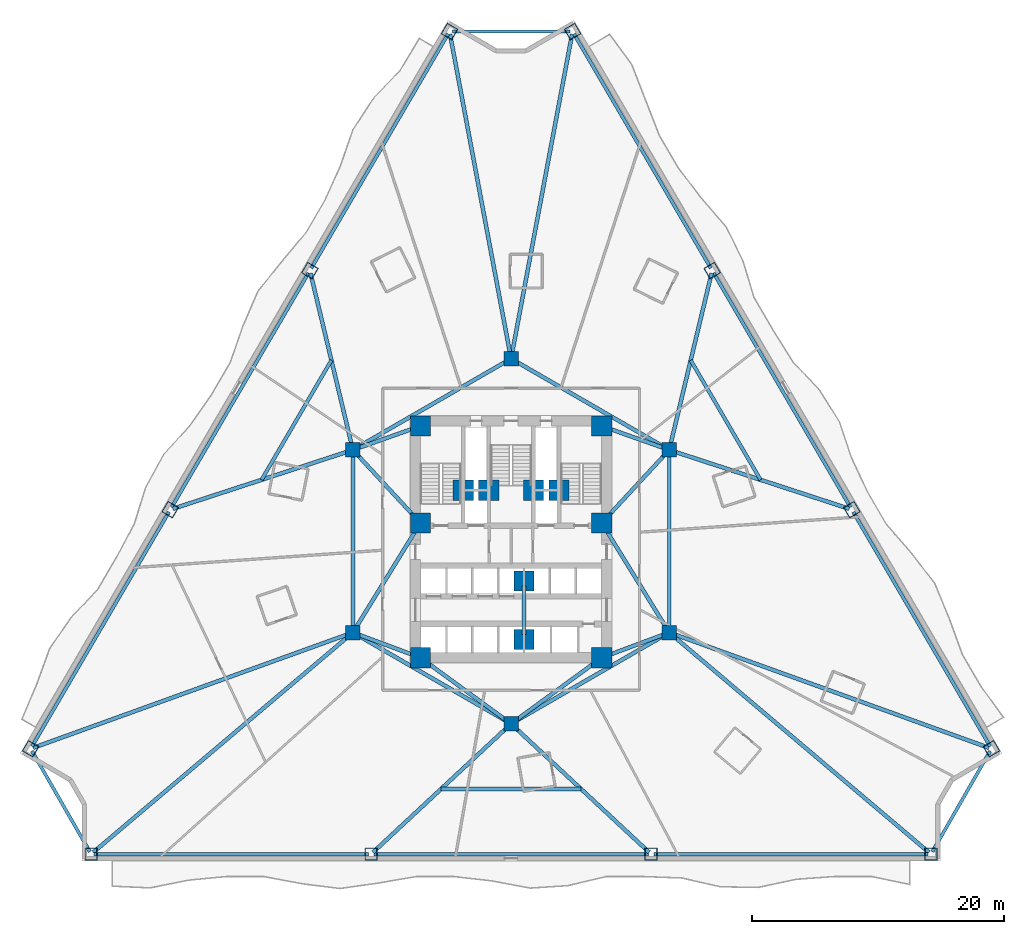
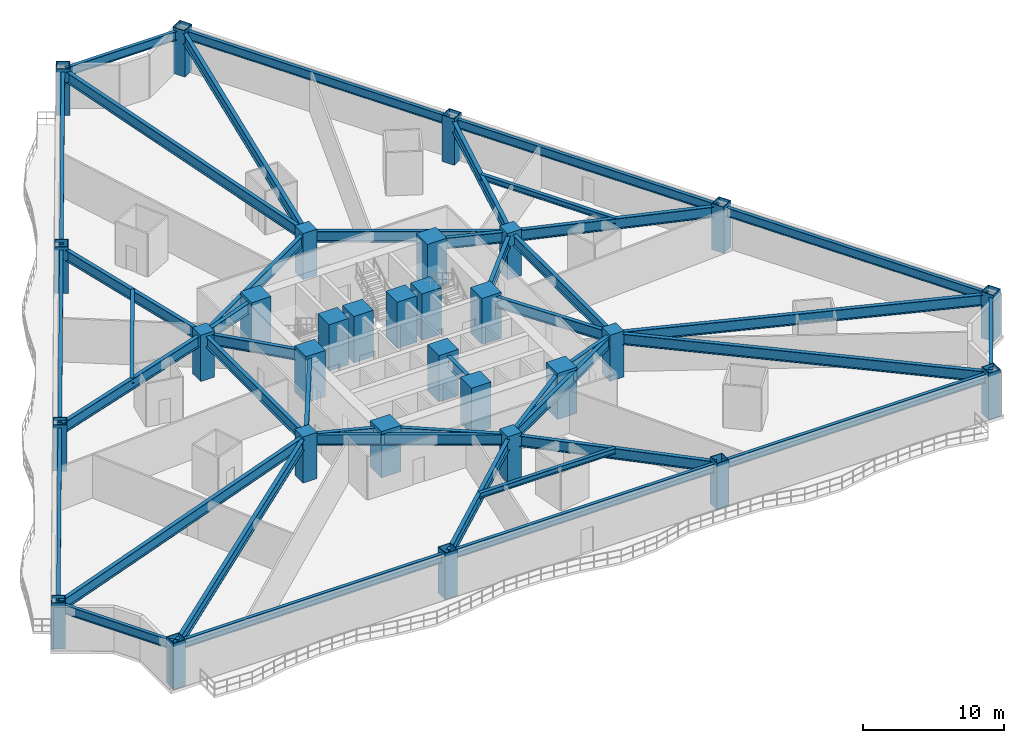
# One storey, part 1 of 12: 44 beams, 30 columns.
"""IFC4 building model written with IfcOpenShell, lengths in metres."""

from ifc_helpers import new_model, si_unit, direction, frame, origin, origin_2d, place, context, subcontext, project, spatial, rectangle, hollow_rectangle, i_section, extrude, material, material_profile, profile_set, type_object, element, save


model = new_model("IFC4")

# Units and contexts
model_context = context("Model", 3, precision=1e-05, world=origin(), true_north=direction((0.0, 1.0)))
body_context = subcontext(model_context, "Body", "Model", "MODEL_VIEW")
ifc_project = project(units=[si_unit("LENGTHUNIT", "METRE"), si_unit("AREAUNIT", "SQUARE_METRE"), si_unit("VOLUMEUNIT", "CUBIC_METRE"), si_unit("PLANEANGLEUNIT", "RADIAN"), si_unit("MASSUNIT", "GRAM", prefix="KILO")], contexts=[model_context])

# Site, building, storey
site_placement = place(None, origin())
site = spatial("IfcSite", under=ifc_project, at=site_placement, CompositionType="ELEMENT")
building_placement = place(site_placement, origin())
building = spatial("IfcBuilding", under=site, at=building_placement, Name="Apsidion Concourse Tower", CompositionType="ELEMENT")
storey_placement = place(building_placement, frame((0.0, 0.0, 34.39990234375)))
storey = spatial("IfcBuildingStorey", under=building, at=storey_placement, Name="L06", CompositionType="ELEMENT", Elevation=34.39990234375)

# Columns
ifc_material_1 = material(Name="Structural steel ASTM A572 Grade 50", Category="steel")
ifc_material_profile_1 = material_profile(ifc_material_1, hollow_rectangle(XDim=1.0, YDim=1.0, WallThickness=0.06005859375, at=origin_2d()), Name="BOX1000X1000X60")
ifc_profile_set_1 = profile_set([ifc_material_profile_1], Name="Structural steel ASTM A572 Grade 50")
column_type_1 = type_object("IfcColumnType", Name="COL-BOX-1000", PredefinedType="COLUMN", material=ifc_profile_set_1)
for number, where, z_axis, x_axis, name in (
    (1, (-4.887451171875, 40.481201171875, 0.0), (0.0, 0.0, 1.0), (0.50437692518, 0.863483594138, 0.0), "L06 Rotated Perimeter Column PC01"),
    (2, (-15.976318359375, 21.49365234375, 0.0), (0.0, 0.0, 1.0), (0.50437692518, 0.863483594138, 0.0), "L06 Rotated Perimeter Column PC02"),
    (3, (-27.065185546875, 2.50634765625, 0.0), (0.0, 0.0, 1.0), (0.50437692518, 0.863483594138, 0.0), "L06 Rotated Perimeter Column PC03"),
    (4, (-38.154052734375, -16.481201171875, 0.0), (0.0, 0.0, 1.0), (0.50437692518, 0.863483594138, 0.0), "L06 Rotated Perimeter Column PC04"),
    (5, (-33.35009765625, -24.85009765625, 0.0), (0.0, 0.0, 1.0), (1.0, 0.0, 0.0), "L06 Rotated Perimeter Column PC05"),
    (6, (-11.11669921875, -24.85009765625, 0.0), (0.0, 0.0, 1.0), (1.0, 0.0, 0.0), "L06 Rotated Perimeter Column PC06"),
    (7, (11.11669921875, -24.85009765625, 0.0), (0.0, 0.0, 1.0), (1.0, 0.0, 0.0), "L06 Rotated Perimeter Column PC07"),
    (8, (33.35009765625, -24.85009765625, 0.0), (0.0, 0.0, 1.0), (1.0, 0.0, 0.0), "L06 Rotated Perimeter Column PC08"),
    (9, (38.154052734375, -16.481201171875, 0.0), (0.0, 0.0, 1.0), (-0.50437692518, 0.863483594138, 0.0), "L06 Rotated Perimeter Column PC09"),
    (10, (27.065185546875, 2.50634765625, 0.0), (0.0, 0.0, 1.0), (-0.50437692518, 0.863483594138, 0.0), "L06 Rotated Perimeter Column PC10"),
    (11, (15.976318359375, 21.49365234375, 0.0), (0.0, 0.0, 1.0), (-0.50437692518, 0.863483594138, 0.0), "L06 Rotated Perimeter Column PC11"),
    (12, (4.887451171875, 40.481201171875, 0.0), (0.0, 0.0, 1.0), (-0.50437692518, 0.863483594138, 0.0), "L06 Rotated Perimeter Column PC12"),
):
    element("IfcColumn", number, at=place(storey_placement, frame(where, z_axis=z_axis, x_axis=x_axis)), inside=storey, type_object=column_type_1, Name=name, PredefinedType="COLUMN", context=body_context, shape_type="SweptSolid", body=[
        extrude(hollow_rectangle(XDim=1.0, YDim=1.0, WallThickness=0.06005859375, at=origin_2d()), origin(), (0.0, 0.0, 1.0), 4.0),
    ])
ifc_material_2 = material(Name="Concrete C50/60", Category="concrete")
ifc_material_profile_2 = material_profile(ifc_material_2, rectangle(XDim=1.14990234375, YDim=1.14990234375, at=origin_2d()), Name="RC 1150x1150")
ifc_profile_set_2 = profile_set([ifc_material_profile_2], Name="Concrete C50/60")
column_type_2 = type_object("IfcColumnType", Name="COL-RC-1150", PredefinedType="COLUMN", material=ifc_profile_set_2)
for number, where, z_axis, x_axis, name in (
    (13, (-12.56005859375, -7.25, 0.0), (0.0, 0.0, 1.0), (1.0, 0.0, 0.0), "L06 Interior Spine Column IC1"),
    (14, (12.56005859375, -7.25, 0.0), (0.0, 0.0, 1.0), (1.0, 0.0, 0.0), "L06 Interior Spine Column IC2"),
    (15, (12.56005859375, 7.25, 0.0), (0.0, 0.0, 1.0), (1.0, 0.0, 0.0), "L06 Interior Spine Column IC3"),
    (16, (0.0, 14.5, 0.0), (0.0, 0.0, 1.0), (1.0, 0.0, 0.0), "L06 Interior Spine Column IC4"),
    (17, (-12.56005859375, 7.25, 0.0), (0.0, 0.0, 1.0), (1.0, 0.0, 0.0), "L06 Interior Spine Column IC5"),
    (18, (0.0, -14.5, 0.0), (0.0, 0.0, 1.0), (1.0, 0.0, 0.0), "L06 Interior Spine Column IC6"),
):
    element("IfcColumn", number, at=place(storey_placement, frame(where, z_axis=z_axis, x_axis=x_axis)), inside=storey, type_object=column_type_2, Name=name, PredefinedType="COLUMN", context=body_context, shape_type="SweptSolid", body=[
        extrude(rectangle(XDim=1.14990234375, YDim=1.14990234375, at=origin_2d()), origin(), (0.0, 0.0, 1.0), 4.0),
    ])
ifc_material_3 = material(Name="Concrete C60/75", Category="concrete")
ifc_material_profile_3 = material_profile(ifc_material_3, rectangle(XDim=1.60009765625, YDim=1.60009765625, at=origin_2d()), Name="RC 1600x1600")
ifc_profile_set_3 = profile_set([ifc_material_profile_3], Name="Concrete C60/75")
column_type_3 = type_object("IfcColumnType", Name="COL-RC-1600", PredefinedType="COLUMN", material=ifc_profile_set_3)
for number, where, z_axis, x_axis, name in (
    (19, (-7.199951171875, -9.25, 0.0), (0.0, 0.0, 1.0), (1.0, 0.0, 0.0), "L06 Core Super-Column SC1"),
    (20, (7.199951171875, -9.25, 0.0), (0.0, 0.0, 1.0), (1.0, 0.0, 0.0), "L06 Core Super-Column SC2"),
    (21, (7.199951171875, 1.449951171875, 0.0), (0.0, 0.0, 1.0), (1.0, 0.0, 0.0), "L06 Core Super-Column SC3"),
    (22, (7.199951171875, 9.14990234375, 0.0), (0.0, 0.0, 1.0), (1.0, 0.0, 0.0), "L06 Core Super-Column SC4"),
    (23, (-7.199951171875, 9.14990234375, 0.0), (0.0, 0.0, 1.0), (1.0, 0.0, 0.0), "L06 Core Super-Column SC5"),
    (24, (-7.199951171875, 1.449951171875, 0.0), (0.0, 0.0, 1.0), (1.0, 0.0, 0.0), "L06 Core Super-Column SC6"),
    (25, (-3.800048828125, 4.050048828125, 0.0), (0.0, 0.0, 1.0), (1.0, 0.0, 0.0), "L06 Core Super-Column CC1"),
    (26, (3.800048828125, 4.050048828125, 0.0), (0.0, 0.0, 1.0), (1.0, 0.0, 0.0), "L06 Core Super-Column CC2"),
    (27, (-1.77490234375, 4.050048828125, 0.0), (0.0, 0.0, 1.0), (1.0, 0.0, 0.0), "L06 Core Super-Column CC3"),
    (28, (1.77490234375, 4.050048828125, 0.0), (0.0, 0.0, 1.0), (1.0, 0.0, 0.0), "L06 Core Super-Column CC4"),
    (29, (1.02490234375, -3.14990234375, 0.0), (0.0, 0.0, 1.0), (1.0, 0.0, 0.0), "L06 Core Super-Column CC5"),
    (30, (1.02490234375, -7.800048828125, 0.0), (0.0, 0.0, 1.0), (1.0, 0.0, 0.0), "L06 Core Super-Column CC6"),
):
    element("IfcColumn", number, at=place(storey_placement, frame(where, z_axis=z_axis, x_axis=x_axis)), inside=storey, type_object=column_type_3, Name=name, PredefinedType="COLUMN", context=body_context, shape_type="SweptSolid", body=[
        extrude(rectangle(XDim=1.60009765625, YDim=1.60009765625, at=origin_2d()), origin(), (0.0, 0.0, 1.0), 4.0),
    ])

# Beams
ifc_material_4 = material(Name="Structural steel ASTM A992 Grade 50", Category="steel")
ifc_material_profile_4 = material_profile(ifc_material_4, i_section(OverallWidth=0.283935546875, OverallDepth=0.47607421875, WebThickness=0.014892578125, FlangeThickness=0.02392578125, at=origin_2d()), Name="W18X106")
ifc_profile_set_4 = profile_set([ifc_material_profile_4], Name="Structural steel ASTM A992 Grade 50")
beam_type_1 = type_object("IfcBeamType", Name="BM-FL-W18H", PredefinedType="BEAM", material=ifc_profile_set_4)
beam_1_placement = place(storey_placement, frame((-14.268310546875, 14.371826171875, 3.51220703125), z_axis=(-0.504293469124, -0.863532336974, 0.0), x_axis=(0.863532336974, -0.504293469124, 0.0)))
element("IfcBeam", 31, at=beam_1_placement, inside=storey, type_object=beam_type_1, Name="L06 Secondary Floor Beam SEC-F1", PredefinedType="BEAM", context=body_context, shape_type="SweptSolid", body=[
    extrude(i_section(OverallWidth=0.283935546875, OverallDepth=0.47607421875, WebThickness=0.014892578125, FlangeThickness=0.02392578125, at=origin_2d()), origin(), (0.0, 0.0, 1.0), 10.993896484375),
])
beam_2_placement = place(storey_placement, frame((-5.558349609375, -19.675048828125, 3.51220703125), z_axis=(1.0, 0.0, 0.0), x_axis=(0.0, 1.0, 0.0)))
element("IfcBeam", 32, at=beam_2_placement, inside=storey, type_object=beam_type_1, Name="L06 Secondary Floor Beam SEC-F2", PredefinedType="BEAM", context=body_context, shape_type="SweptSolid", body=[
    extrude(i_section(OverallWidth=0.283935546875, OverallDepth=0.47607421875, WebThickness=0.014892578125, FlangeThickness=0.02392578125, at=origin_2d()), origin(), (0.0, 0.0, 1.0), 11.11669921875),
])
beam_3_placement = place(storey_placement, frame((19.8125, 4.878173828125, 3.51220703125), z_axis=(-0.504293469124, 0.863532336974, 0.0), x_axis=(-0.863532336974, -0.504293469124, 0.0)))
element("IfcBeam", 33, at=beam_3_placement, inside=storey, type_object=beam_type_1, Name="L06 Secondary Floor Beam SEC-F3", PredefinedType="BEAM", context=body_context, shape_type="SweptSolid", body=[
    extrude(i_section(OverallWidth=0.283935546875, OverallDepth=0.47607421875, WebThickness=0.014892578125, FlangeThickness=0.02392578125, at=origin_2d()), origin(), (0.0, 0.0, 1.0), 10.993896484375),
])
ifc_material_profile_5 = material_profile(ifc_material_4, i_section(OverallWidth=0.31005859375, OverallDepth=0.931884765625, WebThickness=0.02099609375, FlangeThickness=0.034423828125, at=origin_2d()), Name="W36X210")
ifc_profile_set_5 = profile_set([ifc_material_profile_5], Name="Structural steel ASTM A992 Grade 50")
beam_type_2 = type_object("IfcBeamType", Name="BM-G-W36", PredefinedType="USERDEFINED", material=ifc_profile_set_5)
beam_4_placement = place(storey_placement, frame((-12.185302734375, -7.389892578125, 3.2841796875), z_axis=(0.936913021145, -0.349562570664, 0.0), x_axis=(0.349562570664, 0.936913021145, 0.0)))
element("IfcBeam", 34, at=beam_4_placement, inside=storey, type_object=beam_type_2, Name="L06 Core Coupling Girder IC1-SC1", ObjectType="GIRDER", PredefinedType="USERDEFINED", context=body_context, shape_type="SweptSolid", body=[
    extrude(i_section(OverallWidth=0.31005859375, OverallDepth=0.931884765625, WebThickness=0.02099609375, FlangeThickness=0.034423828125, at=origin_2d()), origin(), (0.0, 0.0, 1.0), 4.921142578125),
])
beam_5_placement = place(storey_placement, frame((-12.35009765625, -6.909423828125, 3.2841796875), z_axis=(0.524524009763, 0.851395656074, 0.0), x_axis=(-0.851395656074, 0.524524009763, 0.0)))
element("IfcBeam", 35, at=beam_5_placement, inside=storey, type_object=beam_type_2, Name="L06 Core Coupling Girder IC1-SC6", ObjectType="GIRDER", PredefinedType="USERDEFINED", context=body_context, shape_type="SweptSolid", body=[
    extrude(i_section(OverallWidth=0.31005859375, OverallDepth=0.931884765625, WebThickness=0.02099609375, FlangeThickness=0.034423828125, at=origin_2d()), origin(), (0.0, 0.0, 1.0), 9.41845703125),
])
beam_6_placement = place(storey_placement, frame((12.185302734375, -7.389892578125, 3.2841796875), z_axis=(-0.936913021145, -0.349562570664, 0.0), x_axis=(0.349562570664, -0.936913021145, 0.0)))
element("IfcBeam", 36, at=beam_6_placement, inside=storey, type_object=beam_type_2, Name="L06 Core Coupling Girder IC2-SC2", ObjectType="GIRDER", PredefinedType="USERDEFINED", context=body_context, shape_type="SweptSolid", body=[
    extrude(i_section(OverallWidth=0.31005859375, OverallDepth=0.931884765625, WebThickness=0.02099609375, FlangeThickness=0.034423828125, at=origin_2d()), origin(), (0.0, 0.0, 1.0), 4.921142578125),
])
beam_7_placement = place(storey_placement, frame((12.35009765625, -6.909423828125, 3.2841796875), z_axis=(-0.524524009763, 0.851395656074, 0.0), x_axis=(-0.851395656074, -0.524524009763, 0.0)))
element("IfcBeam", 37, at=beam_7_placement, inside=storey, type_object=beam_type_2, Name="L06 Core Coupling Girder IC2-SC3", ObjectType="GIRDER", PredefinedType="USERDEFINED", context=body_context, shape_type="SweptSolid", body=[
    extrude(i_section(OverallWidth=0.31005859375, OverallDepth=0.931884765625, WebThickness=0.02099609375, FlangeThickness=0.034423828125, at=origin_2d()), origin(), (0.0, 0.0, 1.0), 9.41845703125),
])
beam_8_placement = place(storey_placement, frame((12.28857421875, 6.956298828125, 3.2841796875), z_axis=(-0.678712876106, -0.73440372535, 0.0), x_axis=(0.73440372535, -0.678712876106, 0.0)))
element("IfcBeam", 38, at=beam_8_placement, inside=storey, type_object=beam_type_2, Name="L06 Core Coupling Girder IC3-SC3", ObjectType="GIRDER", PredefinedType="USERDEFINED", context=body_context, shape_type="SweptSolid", body=[
    extrude(i_section(OverallWidth=0.31005859375, OverallDepth=0.931884765625, WebThickness=0.02099609375, FlangeThickness=0.034423828125, at=origin_2d()), origin(), (0.0, 0.0, 1.0), 7.097412109375),
])
beam_9_placement = place(storey_placement, frame((12.18310546875, 7.383544921875, 3.2841796875), z_axis=(-0.942533844539, 0.334110688094, 0.0), x_axis=(-0.334110688094, -0.942533844539, 0.0)))
element("IfcBeam", 39, at=beam_9_placement, inside=storey, type_object=beam_type_2, Name="L06 Core Coupling Girder IC3-SC4", ObjectType="GIRDER", PredefinedType="USERDEFINED", context=body_context, shape_type="SweptSolid", body=[
    extrude(i_section(OverallWidth=0.31005859375, OverallDepth=0.931884765625, WebThickness=0.02099609375, FlangeThickness=0.034423828125, at=origin_2d()), origin(), (0.0, 0.0, 1.0), 4.886962890625),
])
beam_10_placement = place(storey_placement, frame((-12.28857421875, 6.956298828125, 3.2841796875), z_axis=(0.678712876106, -0.73440372535, 0.0), x_axis=(0.73440372535, 0.678712876106, 0.0)))
element("IfcBeam", 40, at=beam_10_placement, inside=storey, type_object=beam_type_2, Name="L06 Core Coupling Girder IC5-SC6", ObjectType="GIRDER", PredefinedType="USERDEFINED", context=body_context, shape_type="SweptSolid", body=[
    extrude(i_section(OverallWidth=0.31005859375, OverallDepth=0.931884765625, WebThickness=0.02099609375, FlangeThickness=0.034423828125, at=origin_2d()), origin(), (0.0, 0.0, 1.0), 7.097412109375),
])
beam_11_placement = place(storey_placement, frame((-12.18310546875, 7.383544921875, 3.2841796875), z_axis=(0.942533844539, 0.334110688094, 0.0), x_axis=(-0.334110688094, 0.942533844539, 0.0)))
element("IfcBeam", 41, at=beam_11_placement, inside=storey, type_object=beam_type_2, Name="L06 Core Coupling Girder IC5-SC5", ObjectType="GIRDER", PredefinedType="USERDEFINED", context=body_context, shape_type="SweptSolid", body=[
    extrude(i_section(OverallWidth=0.31005859375, OverallDepth=0.931884765625, WebThickness=0.02099609375, FlangeThickness=0.034423828125, at=origin_2d()), origin(), (0.0, 0.0, 1.0), 4.886962890625),
])
for number, where, z_axis, x_axis, name in (
    (42, (-0.3232421875, -14.264404296875, 3.2841796875), (-0.807993498909, 0.589191399905, 0.0), (-0.589191399905, -0.807993498909, 0.0), "L06 Core Coupling Girder IC6-SC1"),
    (43, (0.3232421875, -14.264404296875, 3.2841796875), (0.807993498909, 0.589191399905, 0.0), (-0.589191399905, 0.807993498909, 0.0), "L06 Core Coupling Girder IC6-SC2"),
):
    element("IfcBeam", number, at=place(storey_placement, frame(where, z_axis=z_axis, x_axis=x_axis)), inside=storey, type_object=beam_type_2, Name=name, ObjectType="GIRDER", PredefinedType="USERDEFINED", context=body_context, shape_type="SweptSolid", body=[
        extrude(i_section(OverallWidth=0.31005859375, OverallDepth=0.931884765625, WebThickness=0.02099609375, FlangeThickness=0.034423828125, at=origin_2d()), origin(), (0.0, 0.0, 1.0), 8.11083984375),
    ])
beam_12_placement = place(storey_placement, frame((-12.56005859375, -6.85009765625, 3.2841796875), z_axis=(0.0, 1.0, 0.0), x_axis=(-1.0, 0.0, 0.0)))
element("IfcBeam", 44, at=beam_12_placement, inside=storey, type_object=beam_type_2, Name="L06 Core Coupling Girder IC1-IC5", ObjectType="GIRDER", PredefinedType="USERDEFINED", context=body_context, shape_type="SweptSolid", body=[
    extrude(i_section(OverallWidth=0.31005859375, OverallDepth=0.931884765625, WebThickness=0.02099609375, FlangeThickness=0.034423828125, at=origin_2d()), origin(), (0.0, 0.0, 1.0), 13.7001953125),
])
for number, where, z_axis, x_axis, name in (
    (45, (-12.213623046875, 7.449951171875, 3.2841796875), (0.866070471464, 0.499921932364, 0.0), (-0.499921932364, 0.866070471464, 0.0), "L06 Core Coupling Girder IC5-IC4"),
    (46, (0.346435546875, 14.300048828125, 3.2841796875), (0.866070471464, -0.499921932364, 0.0), (0.499921932364, 0.866070471464, 0.0), "L06 Core Coupling Girder IC4-IC3"),
):
    element("IfcBeam", number, at=place(storey_placement, frame(where, z_axis=z_axis, x_axis=x_axis)), inside=storey, type_object=beam_type_2, Name=name, ObjectType="GIRDER", PredefinedType="USERDEFINED", context=body_context, shape_type="SweptSolid", body=[
        extrude(i_section(OverallWidth=0.31005859375, OverallDepth=0.931884765625, WebThickness=0.02099609375, FlangeThickness=0.034423828125, at=origin_2d()), origin(), (0.0, 0.0, 1.0), 13.702392578125),
    ])
beam_13_placement = place(storey_placement, frame((12.56005859375, 6.85009765625, 3.2841796875), z_axis=(0.0, -1.0, 0.0), x_axis=(1.0, 0.0, 0.0)))
element("IfcBeam", 47, at=beam_13_placement, inside=storey, type_object=beam_type_2, Name="L06 Core Coupling Girder IC3-IC2", ObjectType="GIRDER", PredefinedType="USERDEFINED", context=body_context, shape_type="SweptSolid", body=[
    extrude(i_section(OverallWidth=0.31005859375, OverallDepth=0.931884765625, WebThickness=0.02099609375, FlangeThickness=0.034423828125, at=origin_2d()), origin(), (0.0, 0.0, 1.0), 13.7001953125),
])
for number, where, z_axis, x_axis, name in (
    (48, (12.213623046875, -7.449951171875, 3.2841796875), (-0.866070471464, -0.499921932364, 0.0), (0.499921932364, -0.866070471464, 0.0), "L06 Core Coupling Girder IC2-IC6"),
    (49, (-0.346435546875, -14.300048828125, 3.2841796875), (-0.866070471464, 0.499921932364, 0.0), (-0.499921932364, -0.866070471464, 0.0), "L06 Core Coupling Girder IC6-IC1"),
):
    element("IfcBeam", number, at=place(storey_placement, frame(where, z_axis=z_axis, x_axis=x_axis)), inside=storey, type_object=beam_type_2, Name=name, ObjectType="GIRDER", PredefinedType="USERDEFINED", context=body_context, shape_type="SweptSolid", body=[
        extrude(i_section(OverallWidth=0.31005859375, OverallDepth=0.931884765625, WebThickness=0.02099609375, FlangeThickness=0.034423828125, at=origin_2d()), origin(), (0.0, 0.0, 1.0), 13.702392578125),
    ])
beam_14_placement = place(storey_placement, frame((1.02490234375, -3.550048828125, 3.2841796875), z_axis=(0.0, -1.0, 0.0), x_axis=(1.0, 0.0, 0.0)))
element("IfcBeam", 50, at=beam_14_placement, inside=storey, type_object=beam_type_2, Name="L06 Core Coupling Girder CC5-CC6", ObjectType="GIRDER", PredefinedType="USERDEFINED", context=body_context, shape_type="SweptSolid", body=[
    extrude(i_section(OverallWidth=0.31005859375, OverallDepth=0.931884765625, WebThickness=0.02099609375, FlangeThickness=0.034423828125, at=origin_2d()), origin(), (0.0, 0.0, 1.0), 3.849853515625),
])
beam_15_placement = place(storey_placement, frame((-0.040771484375, 14.71630859375, 3.2841796875), z_axis=(-0.184866293989, 0.982763681333, 0.0), x_axis=(-0.982763681333, -0.184866293989, 0.0)))
element("IfcBeam", 51, at=beam_15_placement, inside=storey, type_object=beam_type_2, Name="L06 Radial Floor Girder RAD-01", ObjectType="GIRDER", PredefinedType="USERDEFINED", context=body_context, shape_type="SweptSolid", body=[
    extrude(i_section(OverallWidth=0.31005859375, OverallDepth=0.931884765625, WebThickness=0.02099609375, FlangeThickness=0.034423828125, at=origin_2d()), origin(), (0.0, 0.0, 1.0), 25.99658203125),
])
beam_16_placement = place(storey_placement, frame((-12.611328125, 7.4638671875, 3.2841796875), z_axis=(-0.233233219452, 0.972420827288, 0.0), x_axis=(-0.972420827288, -0.233233219452, 0.0)))
element("IfcBeam", 52, at=beam_16_placement, inside=storey, type_object=beam_type_2, Name="L06 Radial Floor Girder RAD-02", ObjectType="GIRDER", PredefinedType="USERDEFINED", context=body_context, shape_type="SweptSolid", body=[
    extrude(i_section(OverallWidth=0.31005859375, OverallDepth=0.931884765625, WebThickness=0.02099609375, FlangeThickness=0.034423828125, at=origin_2d()), origin(), (0.0, 0.0, 1.0), 14.207763671875),
])
beam_17_placement = place(storey_placement, frame((-12.76904296875, 7.181640625, 3.2841796875), z_axis=(-0.950465100465, -0.310831293145, 0.0), x_axis=(0.310831293145, -0.950465100465, 0.0)))
element("IfcBeam", 53, at=beam_17_placement, inside=storey, type_object=beam_type_2, Name="L06 Radial Floor Girder RAD-03", ObjectType="GIRDER", PredefinedType="USERDEFINED", context=body_context, shape_type="SweptSolid", body=[
    extrude(i_section(OverallWidth=0.31005859375, OverallDepth=0.931884765625, WebThickness=0.02099609375, FlangeThickness=0.034423828125, at=origin_2d()), origin(), (0.0, 0.0, 1.0), 14.8212890625),
])
beam_18_placement = place(storey_placement, frame((-12.76708984375, -7.32470703125, 3.2841796875), z_axis=(-0.940684701446, -0.339282024968, 0.0), x_axis=(0.339282024968, -0.940684701446, 0.0)))
element("IfcBeam", 54, at=beam_18_placement, inside=storey, type_object=beam_type_2, Name="L06 Radial Floor Girder RAD-04", ObjectType="GIRDER", PredefinedType="USERDEFINED", context=body_context, shape_type="SweptSolid", body=[
    extrude(i_section(OverallWidth=0.31005859375, OverallDepth=0.931884765625, WebThickness=0.02099609375, FlangeThickness=0.034423828125, at=origin_2d()), origin(), (0.0, 0.0, 1.0), 26.767578125),
])
beam_19_placement = place(storey_placement, frame((-12.727783203125, -7.39208984375, 3.2841796875), z_axis=(-0.763231804576, -0.646124765416, 0.0), x_axis=(0.646124765416, -0.763231804576, 0.0)))
element("IfcBeam", 55, at=beam_19_placement, inside=storey, type_object=beam_type_2, Name="L06 Radial Floor Girder RAD-05", ObjectType="GIRDER", PredefinedType="USERDEFINED", context=body_context, shape_type="SweptSolid", body=[
    extrude(i_section(OverallWidth=0.31005859375, OverallDepth=0.931884765625, WebThickness=0.02099609375, FlangeThickness=0.034423828125, at=origin_2d()), origin(), (0.0, 0.0, 1.0), 26.799560546875),
])
for number, where, z_axis, x_axis, name in (
    (56, (-0.160888671875, -14.64990234375, 3.2841796875), (-0.731899098402, -0.681413024353, 0.0), (0.681413024353, -0.731899098402, 0.0), "L06 Radial Floor Girder RAD-06"),
    (57, (0.160888671875, -14.64990234375, 3.2841796875), (0.731899098402, -0.681413024353, 0.0), (0.681413024353, 0.731899098402, 0.0), "L06 Radial Floor Girder RAD-07"),
):
    element("IfcBeam", number, at=place(storey_placement, frame(where, z_axis=z_axis, x_axis=x_axis)), inside=storey, type_object=beam_type_2, Name=name, ObjectType="GIRDER", PredefinedType="USERDEFINED", context=body_context, shape_type="SweptSolid", body=[
        extrude(i_section(OverallWidth=0.31005859375, OverallDepth=0.931884765625, WebThickness=0.02099609375, FlangeThickness=0.034423828125, at=origin_2d()), origin(), (0.0, 0.0, 1.0), 14.749267578125),
    ])
beam_20_placement = place(storey_placement, frame((12.727783203125, -7.39208984375, 3.2841796875), z_axis=(0.763231804576, -0.646124765416, 0.0), x_axis=(0.646124765416, 0.763231804576, 0.0)))
element("IfcBeam", 58, at=beam_20_placement, inside=storey, type_object=beam_type_2, Name="L06 Radial Floor Girder RAD-08", ObjectType="GIRDER", PredefinedType="USERDEFINED", context=body_context, shape_type="SweptSolid", body=[
    extrude(i_section(OverallWidth=0.31005859375, OverallDepth=0.931884765625, WebThickness=0.02099609375, FlangeThickness=0.034423828125, at=origin_2d()), origin(), (0.0, 0.0, 1.0), 26.799560546875),
])
beam_21_placement = place(storey_placement, frame((12.76708984375, -7.32470703125, 3.2841796875), z_axis=(0.940684701446, -0.339282024968, 0.0), x_axis=(0.339282024968, 0.940684701446, 0.0)))
element("IfcBeam", 59, at=beam_21_placement, inside=storey, type_object=beam_type_2, Name="L06 Radial Floor Girder RAD-09", ObjectType="GIRDER", PredefinedType="USERDEFINED", context=body_context, shape_type="SweptSolid", body=[
    extrude(i_section(OverallWidth=0.31005859375, OverallDepth=0.931884765625, WebThickness=0.02099609375, FlangeThickness=0.034423828125, at=origin_2d()), origin(), (0.0, 0.0, 1.0), 26.767578125),
])
beam_22_placement = place(storey_placement, frame((12.76904296875, 7.181640625, 3.2841796875), z_axis=(0.950465100465, -0.310831293145, 0.0), x_axis=(0.310831293145, 0.950465100465, 0.0)))
element("IfcBeam", 60, at=beam_22_placement, inside=storey, type_object=beam_type_2, Name="L06 Radial Floor Girder RAD-10", ObjectType="GIRDER", PredefinedType="USERDEFINED", context=body_context, shape_type="SweptSolid", body=[
    extrude(i_section(OverallWidth=0.31005859375, OverallDepth=0.931884765625, WebThickness=0.02099609375, FlangeThickness=0.034423828125, at=origin_2d()), origin(), (0.0, 0.0, 1.0), 14.8212890625),
])
beam_23_placement = place(storey_placement, frame((12.611328125, 7.4638671875, 3.2841796875), z_axis=(0.233233219452, 0.972420827288, 0.0), x_axis=(-0.972420827288, 0.233233219452, 0.0)))
element("IfcBeam", 61, at=beam_23_placement, inside=storey, type_object=beam_type_2, Name="L06 Radial Floor Girder RAD-11", ObjectType="GIRDER", PredefinedType="USERDEFINED", context=body_context, shape_type="SweptSolid", body=[
    extrude(i_section(OverallWidth=0.31005859375, OverallDepth=0.931884765625, WebThickness=0.02099609375, FlangeThickness=0.034423828125, at=origin_2d()), origin(), (0.0, 0.0, 1.0), 14.207763671875),
])
beam_24_placement = place(storey_placement, frame((0.040771484375, 14.71630859375, 3.2841796875), z_axis=(0.184866293989, 0.982763681333, 0.0), x_axis=(-0.982763681333, 0.184866293989, 0.0)))
element("IfcBeam", 62, at=beam_24_placement, inside=storey, type_object=beam_type_2, Name="L06 Radial Floor Girder RAD-12", ObjectType="GIRDER", PredefinedType="USERDEFINED", context=body_context, shape_type="SweptSolid", body=[
    extrude(i_section(OverallWidth=0.31005859375, OverallDepth=0.931884765625, WebThickness=0.02099609375, FlangeThickness=0.034423828125, at=origin_2d()), origin(), (0.0, 0.0, 1.0), 25.99658203125),
])
ifc_material_profile_6 = material_profile(ifc_material_4, i_section(OverallWidth=0.26806640625, OverallDepth=0.77001953125, WebThickness=0.015625, FlangeThickness=0.025390625, at=origin_2d()), Name="W30X132")
ifc_profile_set_6 = profile_set([ifc_material_profile_6], Name="Structural steel ASTM A992 Grade 50")
beam_type_3 = type_object("IfcBeamType", Name="BM-SP-W30", PredefinedType="SPANDREL", material=ifc_profile_set_6)
for number, where, z_axis, x_axis, name in (
    (63, (-4.998291015625, 40.291015625, 3.364990234375), (-0.504316170532, -0.863519079198, 0.0), (0.863519079198, -0.504316170532, 0.0), "L06 Perimeter Spandrel Girder SP-01"),
    (64, (-16.087158203125, 21.3037109375, 3.364990234375), (-0.504316170532, -0.863519079198, 0.0), (0.863519079198, -0.504316170532, 0.0), "L06 Perimeter Spandrel Girder SP-02"),
    (65, (-27.176025390625, 2.31640625, 3.364990234375), (-0.504316170532, -0.863519079198, 0.0), (0.863519079198, -0.504316170532, 0.0), "L06 Perimeter Spandrel Girder SP-03"),
):
    element("IfcBeam", number, at=place(storey_placement, frame(where, z_axis=z_axis, x_axis=x_axis)), inside=storey, type_object=beam_type_3, Name=name, PredefinedType="SPANDREL", context=body_context, shape_type="SweptSolid", body=[
        extrude(i_section(OverallWidth=0.26806640625, OverallDepth=0.77001953125, WebThickness=0.015625, FlangeThickness=0.025390625, at=origin_2d()), origin(), (0.0, 0.0, 1.0), 21.54833984375),
    ])
beam_25_placement = place(storey_placement, frame((-38.04443359375, -16.671875, 3.364990234375), z_axis=(0.497839457155, -0.867269205553, 0.0), x_axis=(0.867269205553, 0.497839457155, 0.0)))
element("IfcBeam", 66, at=beam_25_placement, inside=storey, type_object=beam_type_3, Name="L06 Perimeter Spandrel Girder SP-04", PredefinedType="SPANDREL", context=body_context, shape_type="SweptSolid", body=[
    extrude(i_section(OverallWidth=0.26806640625, OverallDepth=0.77001953125, WebThickness=0.015625, FlangeThickness=0.025390625, at=origin_2d()), origin(), (0.0, 0.0, 1.0), 9.209716796875),
])
beam_26_placement = place(storey_placement, frame((-33.1298828125, -24.85009765625, 3.364990234375), z_axis=(1.0, 0.0, 0.0), x_axis=(0.0, 1.0, 0.0)))
element("IfcBeam", 67, at=beam_26_placement, inside=storey, type_object=beam_type_3, Name="L06 Perimeter Spandrel Girder SP-05", PredefinedType="SPANDREL", context=body_context, shape_type="SweptSolid", body=[
    extrude(i_section(OverallWidth=0.26806640625, OverallDepth=0.77001953125, WebThickness=0.015625, FlangeThickness=0.025390625, at=origin_2d()), origin(), (0.0, 0.0, 1.0), 21.793212890625),
])
beam_27_placement = place(storey_placement, frame((-10.896728515625, -24.85009765625, 3.364990234375), z_axis=(1.0, 0.0, 0.0), x_axis=(0.0, 1.0, 0.0)))
element("IfcBeam", 68, at=beam_27_placement, inside=storey, type_object=beam_type_3, Name="L06 Perimeter Spandrel Girder SP-06", PredefinedType="SPANDREL", context=body_context, shape_type="SweptSolid", body=[
    extrude(i_section(OverallWidth=0.26806640625, OverallDepth=0.77001953125, WebThickness=0.015625, FlangeThickness=0.025390625, at=origin_2d()), origin(), (0.0, 0.0, 1.0), 21.79345703125),
])
beam_28_placement = place(storey_placement, frame((11.336669921875, -24.85009765625, 3.364990234375), z_axis=(1.0, 0.0, 0.0), x_axis=(0.0, 1.0, 0.0)))
element("IfcBeam", 69, at=beam_28_placement, inside=storey, type_object=beam_type_3, Name="L06 Perimeter Spandrel Girder SP-07", PredefinedType="SPANDREL", context=body_context, shape_type="SweptSolid", body=[
    extrude(i_section(OverallWidth=0.26806640625, OverallDepth=0.77001953125, WebThickness=0.015625, FlangeThickness=0.025390625, at=origin_2d()), origin(), (0.0, 0.0, 1.0), 21.793212890625),
])
beam_29_placement = place(storey_placement, frame((33.45947265625, -24.6591796875, 3.364990234375), z_axis=(0.497839457155, 0.867269205553, 0.0), x_axis=(-0.867269205553, 0.497839457155, 0.0)))
element("IfcBeam", 70, at=beam_29_placement, inside=storey, type_object=beam_type_3, Name="L06 Perimeter Spandrel Girder SP-08", PredefinedType="SPANDREL", context=body_context, shape_type="SweptSolid", body=[
    extrude(i_section(OverallWidth=0.26806640625, OverallDepth=0.77001953125, WebThickness=0.015625, FlangeThickness=0.025390625, at=origin_2d()), origin(), (0.0, 0.0, 1.0), 9.209716796875),
])
for number, where, z_axis, x_axis, name in (
    (71, (38.043212890625, -16.291015625, 3.364990234375), (-0.504316170532, 0.863519079198, 0.0), (-0.863519079198, -0.504316170532, 0.0), "L06 Perimeter Spandrel Girder SP-09"),
    (72, (26.954345703125, 2.6962890625, 3.364990234375), (-0.504316170532, 0.863519079198, 0.0), (-0.863519079198, -0.504316170532, 0.0), "L06 Perimeter Spandrel Girder SP-10"),
    (73, (15.865478515625, 21.68359375, 3.364990234375), (-0.504316170532, 0.863519079198, 0.0), (-0.863519079198, -0.504316170532, 0.0), "L06 Perimeter Spandrel Girder SP-11"),
):
    element("IfcBeam", number, at=place(storey_placement, frame(where, z_axis=z_axis, x_axis=x_axis)), inside=storey, type_object=beam_type_3, Name=name, PredefinedType="SPANDREL", context=body_context, shape_type="SweptSolid", body=[
        extrude(i_section(OverallWidth=0.26806640625, OverallDepth=0.77001953125, WebThickness=0.015625, FlangeThickness=0.025390625, at=origin_2d()), origin(), (0.0, 0.0, 1.0), 21.54833984375),
    ])
beam_30_placement = place(storey_placement, frame((4.66748046875, 40.481201171875, 3.364990234375), z_axis=(-1.0, 0.0, 0.0), x_axis=(0.0, -1.0, 0.0)))
element("IfcBeam", 74, at=beam_30_placement, inside=storey, type_object=beam_type_3, Name="L06 Perimeter Spandrel Girder SP-12", PredefinedType="SPANDREL", context=body_context, shape_type="SweptSolid", body=[
    extrude(i_section(OverallWidth=0.26806640625, OverallDepth=0.77001953125, WebThickness=0.015625, FlangeThickness=0.025390625, at=origin_2d()), origin(), (0.0, 0.0, 1.0), 9.3349609375),
])

save(model, "model.ifc")
